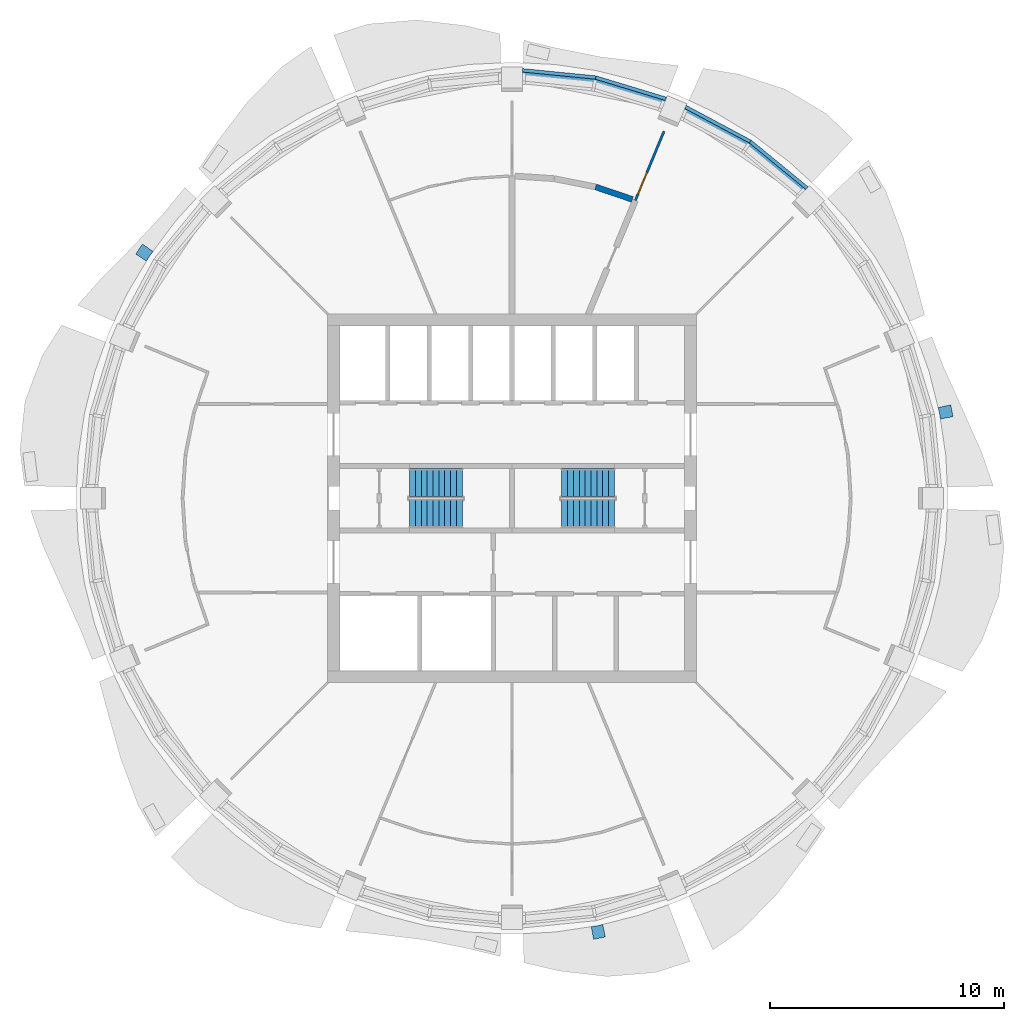
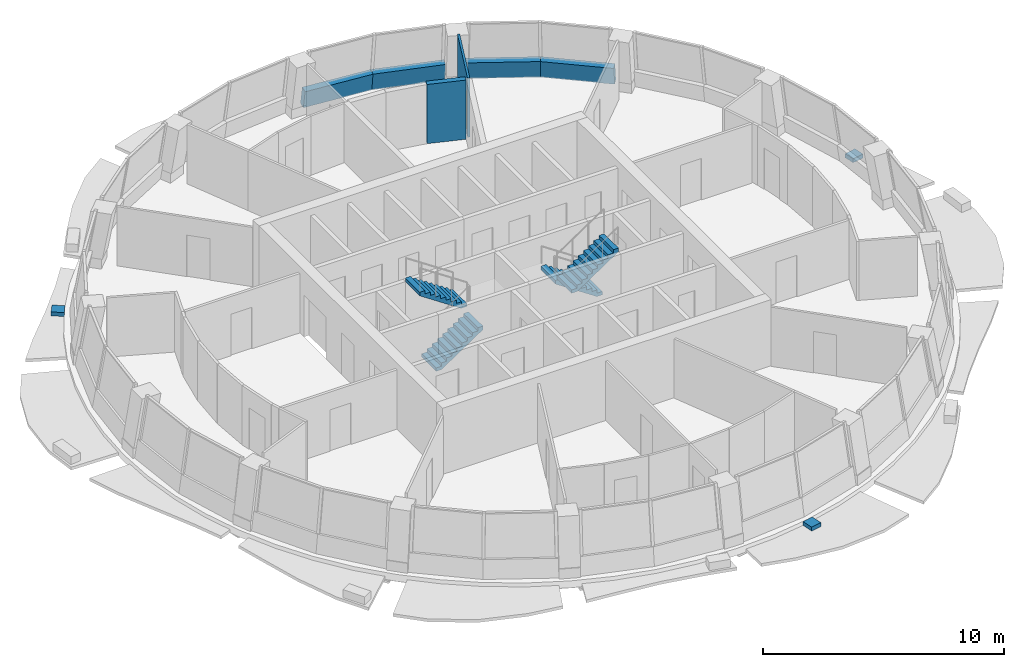
# One storey, part 7 of 11: 6 walls, 4 stair flights, 3 discrete accessories, 1 door, 1 opening, 2 elements without a shape of their own.
"""IFC4 building model written with IfcOpenShell, lengths in metres."""

from ifc_helpers import new_model, si_unit, direction, frame, frame_2d, origin, place, context, subcontext, project, spatial, polyline, rectangle, outline, extrude, material, layer, layer_set, type_object, element, fill, aggregate, save


model = new_model("IFC4")

# Units and contexts
model_context = context("Model", 3, precision=1e-05, world=origin(), true_north=direction((0.0, 1.0)))
body_context = subcontext(model_context, "Body", "Model", "MODEL_VIEW")
ifc_project = project(units=[si_unit("LENGTHUNIT", "METRE"), si_unit("AREAUNIT", "SQUARE_METRE"), si_unit("VOLUMEUNIT", "CUBIC_METRE"), si_unit("PLANEANGLEUNIT", "RADIAN"), si_unit("MASSUNIT", "GRAM", prefix="KILO")], contexts=[model_context])

# Site, building, storey
site_placement = place(None, origin())
site = spatial("IfcSite", under=ifc_project, at=site_placement, CompositionType="ELEMENT")
building_placement = place(site_placement, origin())
building = spatial("IfcBuilding", under=site, at=building_placement, Name="Polderwave Tower", CompositionType="ELEMENT")
storey_placement = place(building_placement, frame((0.0, 0.0, 184.300048828125)))
storey = spatial("IfcBuildingStorey", under=building, at=storey_placement, Name="L49", CompositionType="ELEMENT", Elevation=184.300048828125)

# Walls
ifc_material_1 = material(Name="Concrete C50/60 (board-marked)", Category="concrete")
ifc_layer_1 = layer(ifc_material_1, 0.300048828125)
ifc_layer_set_1 = layer_set([ifc_layer_1], Name="Concrete spandrel upstand C50/60")
wall_type_1 = type_object("IfcWallType", Name="Concrete spandrel upstand C50/60", PredefinedType="SOLIDWALL", material=ifc_layer_set_1)
wall_1_placement = place(storey_placement, frame((12.656982421875, 13.29736328125, 0.0), z_axis=(0.625801401555, 0.762803450932, 0.162798959018), x_axis=(-0.773117144297, 0.634263258583, -2.518315e-06)))
element("IfcWall", 1, at=wall_1_placement, inside=storey, type_object=wall_type_1, Name="Spandrel L49 3a", PredefinedType="SOLIDWALL", context=body_context, shape_type="SweptSolid", body=[
    extrude(outline(polyline([(0.0, 0.0), (3.151281562733108, 5.551115123125783e-17), (3.1367905498406303, 0.9120780374733293), (0.014642479521485686, 0.9120620253892199), (0.0, 0.0)])), origin(), (0.0, 0.0, -1.0), 0.300048828125),
])
wall_2_placement = place(storey_placement, frame((10.220703125, 15.296142578125, 0.0), z_axis=(0.465338838382, 0.870053087177, 0.162688017342), x_axis=(-0.881801348468, 0.471621015005, 6.731272e-06)))
element("IfcWall", 2, at=wall_2_placement, inside=storey, type_object=wall_type_1, Name="Spandrel L49 3b", PredefinedType="SOLIDWALL", context=body_context, shape_type="SweptSolid", body=[
    extrude(outline(polyline([(0.0, 0.0), (3.151771311111445, -2.7755575615628914e-17), (3.136998428592028, 0.9120317148366439), (0.01471039900557733, 0.9120745174751711), (0.0, 0.0)])), origin(), (0.0, 0.0, -1.0), 0.300048828125),
])
wall_3_placement = place(storey_placement, frame((6.60498046875, 17.12841796875, 0.0), z_axis=(0.286447724297, 0.94416395345, 0.162794748846), x_axis=(-0.956929514391, 0.290320348038, 1.683956e-06)))
element("IfcWall", 3, at=wall_3_placement, inside=storey, type_object=wall_type_1, Name="Spandrel L49 4a", PredefinedType="SOLIDWALL", context=body_context, shape_type="SweptSolid", body=[
    extrude(outline(polyline([(0.0, 0.0), (3.1510905215672507, 0.0), (3.1366705655894314, 0.9120640356514044), (0.014389596502516772, 0.912074742565234), (0.0, 0.0)])), origin(), (0.0, 0.0, -1.0), 0.300048828125),
])
wall_4_placement = place(storey_placement, frame((3.589599609375, 18.043212890625, 0.0), z_axis=(0.097001095349, 0.981910573414, 0.162611233681), x_axis=(-0.995155966643, 0.098308707783, 5.283619e-06)))
element("IfcWall", 4, at=wall_4_placement, inside=storey, type_object=wall_type_1, Name="Spandrel L49 4b", PredefinedType="SOLIDWALL", context=body_context, shape_type="SweptSolid", body=[
    extrude(outline(polyline([(0.0, 0.0), (3.152467754283533, 0.0), (3.1378318079144165, 0.9120246132585604), (0.014783026234113573, 0.9120582179690098), (0.0, 0.0)])), origin(), (0.0, 0.0, -1.0), 0.300048828125),
])

# Wall, opening, door
ifc_material_2 = material(Name="Plasterboard on steel studs", Category="steel")
ifc_layer_2 = layer(ifc_material_2, 0.10009765625)
ifc_layer_set_2 = layer_set([ifc_layer_2], Name="Partition 100 mm plasterboard on steel studs")
wall_type_2 = type_object("IfcWallType", Name="Partition 100 mm plasterboard on steel studs", PredefinedType="PARTITIONING", material=ifc_layer_set_2)
wall_5_placement = place(storey_placement, frame((5.26953125, 12.7216796875, 0.0), z_axis=(0.0, 0.0, 1.0), x_axis=(0.382675211785, 0.923882937544, 0.0)))
wall_5 = element("IfcWall", 5, at=wall_5_placement, inside=storey, type_object=wall_type_2, Name="IN-L49-W023", PredefinedType="PARTITIONING", context=body_context, shape_type="SweptSolid", body=[
    extrude(rectangle(XDim=3.2001953125, YDim=0.10009765625, at=frame_2d((1.60009765625, 0.0))), origin(), (0.0, 0.0, 1.0), 3.0),
])
opening_placement = place(wall_5_placement, frame((0.300048828125, 0.0, 0.0)))
opening = element("IfcOpeningElement", 6, at=opening_placement, cuts=wall_5, Name="Opening L49-D58", PredefinedType="OPENING", context=body_context, shape_type="SweptSolid", body=[
    extrude(rectangle(XDim=1.0, YDim=2.10009765625, at=frame_2d((0.5, 1.050048828125))), frame((0.0, 0.06005859375, 0.0), z_axis=(0.0, -1.0, 0.0), x_axis=(1.0, 0.0, 0.0)), (0.0, 0.0, 1.0), 0.1201171875),
])
ifc_material_3 = material(Name="Timber veneer door leaf", Category="wood")
door_type = type_object("IfcDoorType", Name="Single door 1000 x 2100", OperationType="NOTDEFINED", PredefinedType="DOOR", material=ifc_material_3)
door_placement = place(opening_placement, origin())
door = element("IfcDoor", 7, at=door_placement, inside=storey, type_object=door_type, Name="Door L49-D58", OperationType="SINGLE_SWING_LEFT", OverallHeight=2.10009765625, OverallWidth=1.0, PredefinedType="DOOR", context=body_context, shape_type="SweptSolid", body=[
    extrude(rectangle(XDim=1.0, YDim=2.10009765625, at=frame_2d((0.5, 1.050048828125))), frame((0.0, 0.02490234375, 0.0), z_axis=(0.0, -1.0, 0.0), x_axis=(1.0, 0.0, 0.0)), (0.0, 0.0, 1.0), 0.050048828125),
])
fill(opening, door)

# Wall
ifc_material_4 = material(Name="Fire-resisting board on steel studs, mineral wool", Category="steel")
ifc_layer_3 = layer(ifc_material_4, 0.25)
ifc_layer_set_3 = layer_set([ifc_layer_3], Name="Plant room wall 250 mm EI 120")
wall_type_3 = type_object("IfcWallType", Name="Plant room wall 250 mm EI 120", PredefinedType="PARTITIONING", material=ifc_layer_set_3)
wall_6_placement = place(storey_placement, frame((3.57177734375, 13.298095703125, 0.0), z_axis=(0.0, 0.0, 1.0), x_axis=(0.946933132378, -0.32143061896, 0.0)))
element("IfcWall", 8, at=wall_6_placement, inside=storey, type_object=wall_type_3, Name="IN-L49-W026", PredefinedType="PARTITIONING", context=body_context, shape_type="SweptSolid", body=[
    extrude(rectangle(XDim=1.65966796875, YDim=0.25, at=frame_2d((0.829833984375, 0.0))), origin(), (0.0, 0.0, 1.0), 3.0),
])

# Stair, stair flights
ifc_material_5 = material(Name="Concrete C40/50", Category="concrete")
stair_type = type_object("IfcStairType", Name="Exit stair 1200 x 20 risers", PredefinedType="HALF_TURN_STAIR", material=ifc_material_5)
stair_1_placement = place(storey_placement, origin())
stair_1 = element("IfcStair", 9, at=stair_1_placement, inside=storey, type_object=stair_type, Name="L49 Exit stair A", PredefinedType="HALF_TURN_STAIR")
stair_flight_type = type_object("IfcStairFlightType", Name="Stair flight 1200", PredefinedType="STRAIGHT", material=ifc_material_5)
stair_flight_1_placement = place(storey_placement, frame((-4.3740234375, -0.675048828125, 0.0), z_axis=(0.0, 0.0, 1.0), x_axis=(1.0, 0.0, 0.0)))
stair_flight_1 = element("IfcStairFlight", 10, at=stair_flight_1_placement, type_object=stair_flight_type, Name="ST-A flight 1", NumberOfRisers=10, NumberOfTreads=9, PredefinedType="STRAIGHT", RiserHeight=0.1675, TreadLength=0.25, context=body_context, shape_type="SweptSolid", body=[
    extrude(outline(polyline([(0.0, 0.0), (0.0, 0.16748046875), (0.25, 0.16748046875), (0.25, 0.3349609375), (0.5, 0.3349609375), (0.5, 0.50244140625), (0.75, 0.50244140625), (0.75, 0.669921875), (1.0, 0.669921875), (1.0, 0.83740234375), (1.25, 0.83740234375), (1.25, 1.0048828125), (1.5, 1.0048828125), (1.5, 1.172607421875), (1.75, 1.172607421875), (1.75, 1.340087890625), (2.0, 1.340087890625), (2.0, 1.507568359375), (2.25, 1.507568359375), (2.25, 1.675048828125), (2.25, 1.3271484375), (0.269287109375, 0.0), (0.0, 0.0)])), frame((0.0, 0.60009765625, 0.0), z_axis=(0.0, -1.0, 0.0), x_axis=(1.0, 0.0, 0.0)), (0.0, 0.0, 1.0), 1.199951171875),
])
stair_flight_2_placement = place(storey_placement, frame((-2.1240234375, 0.675048828125, 1.675048828125), z_axis=(0.0, 0.0, 1.0), x_axis=(-1.0, 0.0, 0.0)))
stair_flight_2 = element("IfcStairFlight", 11, at=stair_flight_2_placement, type_object=stair_flight_type, Name="ST-A flight 2", NumberOfRisers=10, NumberOfTreads=9, PredefinedType="STRAIGHT", RiserHeight=0.1675, TreadLength=0.25, context=body_context, shape_type="SweptSolid", body=[
    extrude(outline(polyline([(0.0, 0.0), (0.0, 0.16748046875), (0.25, 0.16748046875), (0.25, 0.3349609375), (0.5, 0.3349609375), (0.5, 0.50244140625), (0.75, 0.50244140625), (0.75, 0.669921875), (1.0, 0.669921875), (1.0, 0.83740234375), (1.25, 0.83740234375), (1.25, 1.0048828125), (1.5, 1.0048828125), (1.5, 1.172607421875), (1.75, 1.172607421875), (1.75, 1.340087890625), (2.0, 1.340087890625), (2.0, 1.507568359375), (2.25, 1.507568359375), (2.25, 1.675048828125), (2.25, 1.3271484375), (0.269287109375, 0.0), (0.0, 0.0)])), frame((0.0, 0.60009765625, 0.0), z_axis=(0.0, -1.0, 0.0), x_axis=(1.0, 0.0, 0.0)), (0.0, 0.0, 1.0), 1.199951171875),
])
aggregate(stair_1, [stair_flight_1, stair_flight_2])

stair_2_placement = place(storey_placement, origin())
stair_2 = element("IfcStair", 12, at=stair_2_placement, inside=storey, type_object=stair_type, Name="L49 Exit stair B", PredefinedType="HALF_TURN_STAIR")
stair_flight_3_placement = place(storey_placement, frame((4.3740234375, 0.675048828125, 0.0), z_axis=(0.0, 0.0, 1.0), x_axis=(-1.0, 0.0, 0.0)))
stair_flight_3 = element("IfcStairFlight", 13, at=stair_flight_3_placement, type_object=stair_flight_type, Name="ST-B flight 1", NumberOfRisers=10, NumberOfTreads=9, PredefinedType="STRAIGHT", RiserHeight=0.1675, TreadLength=0.25, context=body_context, shape_type="SweptSolid", body=[
    extrude(outline(polyline([(0.0, 0.0), (0.0, 0.16748046875), (0.25, 0.16748046875), (0.25, 0.3349609375), (0.5, 0.3349609375), (0.5, 0.50244140625), (0.75, 0.50244140625), (0.75, 0.669921875), (1.0, 0.669921875), (1.0, 0.83740234375), (1.25, 0.83740234375), (1.25, 1.0048828125), (1.5, 1.0048828125), (1.5, 1.172607421875), (1.75, 1.172607421875), (1.75, 1.340087890625), (2.0, 1.340087890625), (2.0, 1.507568359375), (2.25, 1.507568359375), (2.25, 1.675048828125), (2.25, 1.3271484375), (0.269287109375, 0.0), (0.0, 0.0)])), frame((0.0, 0.60009765625, 0.0), z_axis=(0.0, -1.0, 0.0), x_axis=(1.0, 0.0, 0.0)), (0.0, 0.0, 1.0), 1.199951171875),
])
stair_flight_4_placement = place(storey_placement, frame((2.1240234375, -0.675048828125, 1.675048828125), z_axis=(0.0, 0.0, 1.0), x_axis=(1.0, 0.0, 0.0)))
stair_flight_4 = element("IfcStairFlight", 14, at=stair_flight_4_placement, type_object=stair_flight_type, Name="ST-B flight 2", NumberOfRisers=10, NumberOfTreads=9, PredefinedType="STRAIGHT", RiserHeight=0.1675, TreadLength=0.25, context=body_context, shape_type="SweptSolid", body=[
    extrude(outline(polyline([(0.0, 0.0), (0.0, 0.16748046875), (0.25, 0.16748046875), (0.25, 0.3349609375), (0.5, 0.3349609375), (0.5, 0.50244140625), (0.75, 0.50244140625), (0.75, 0.669921875), (1.0, 0.669921875), (1.0, 0.83740234375), (1.25, 0.83740234375), (1.25, 1.0048828125), (1.5, 1.0048828125), (1.5, 1.172607421875), (1.75, 1.172607421875), (1.75, 1.340087890625), (2.0, 1.340087890625), (2.0, 1.507568359375), (2.25, 1.507568359375), (2.25, 1.675048828125), (2.25, 1.3271484375), (0.269287109375, 0.0), (0.0, 0.0)])), frame((0.0, 0.60009765625, 0.0), z_axis=(0.0, -1.0, 0.0), x_axis=(1.0, 0.0, 0.0)), (0.0, 0.0, 1.0), 1.199951171875),
])
aggregate(stair_2, [stair_flight_3, stair_flight_4])

# Discrete accessories
ifc_material_6 = material(Name="Steel S355", Category="steel")
discrete_accessory_type = type_object("IfcDiscreteAccessoryType", Name="Band bracket pad", PredefinedType="BRACKET", material=ifc_material_6)
discrete_accessory_1_placement = place(storey_placement, frame((0.0, 0.0, -0.199951171875)))
element("IfcDiscreteAccessory", 15, at=discrete_accessory_1_placement, inside=storey, type_object=discrete_accessory_type, Name="Band bracket L49 1", PredefinedType="BRACKET", context=body_context, shape_type="SweptSolid", body=[
    extrude(outline(polyline([(18.298828125, 3.38525390625), (18.26220703125, 3.632568359375), (18.201416015625, 3.875), (18.739501953125, 3.989501953125), (18.839599609375, 3.4853515625), (18.298828125, 3.38525390625)])), origin(), (0.0, 0.0, 1.0), 0.199951171875),
])
discrete_accessory_2_placement = place(storey_placement, frame((0.0, 0.0, -0.199951171875)))
element("IfcDiscreteAccessory", 16, at=discrete_accessory_2_placement, inside=storey, type_object=discrete_accessory_type, Name="Band bracket L49 7", PredefinedType="BRACKET", context=body_context, shape_type="SweptSolid", body=[
    extrude(outline(polyline([(-15.3330078125, 10.54541015625), (-15.48193359375, 10.3447265625), (-15.610595703125, 10.13037109375), (-16.072021484375, 10.4296875), (-15.7861328125, 10.857177734375), (-15.3330078125, 10.54541015625)])), origin(), (0.0, 0.0, 1.0), 0.199951171875),
])
discrete_accessory_3_placement = place(storey_placement, frame((0.0, 0.0, -0.199951171875)))
element("IfcDiscreteAccessory", 17, at=discrete_accessory_3_placement, inside=storey, type_object=discrete_accessory_type, Name="Band bracket L49 13", PredefinedType="BRACKET", context=body_context, shape_type="SweptSolid", body=[
    extrude(outline(polyline([(3.38525390625, -18.298828125), (3.632568359375, -18.26220703125), (3.875, -18.201416015625), (3.989501953125, -18.739501953125), (3.4853515625, -18.839599609375), (3.38525390625, -18.298828125)])), origin(), (0.0, 0.0, 1.0), 0.199951171875),
])

save(model, "model.ifc")
